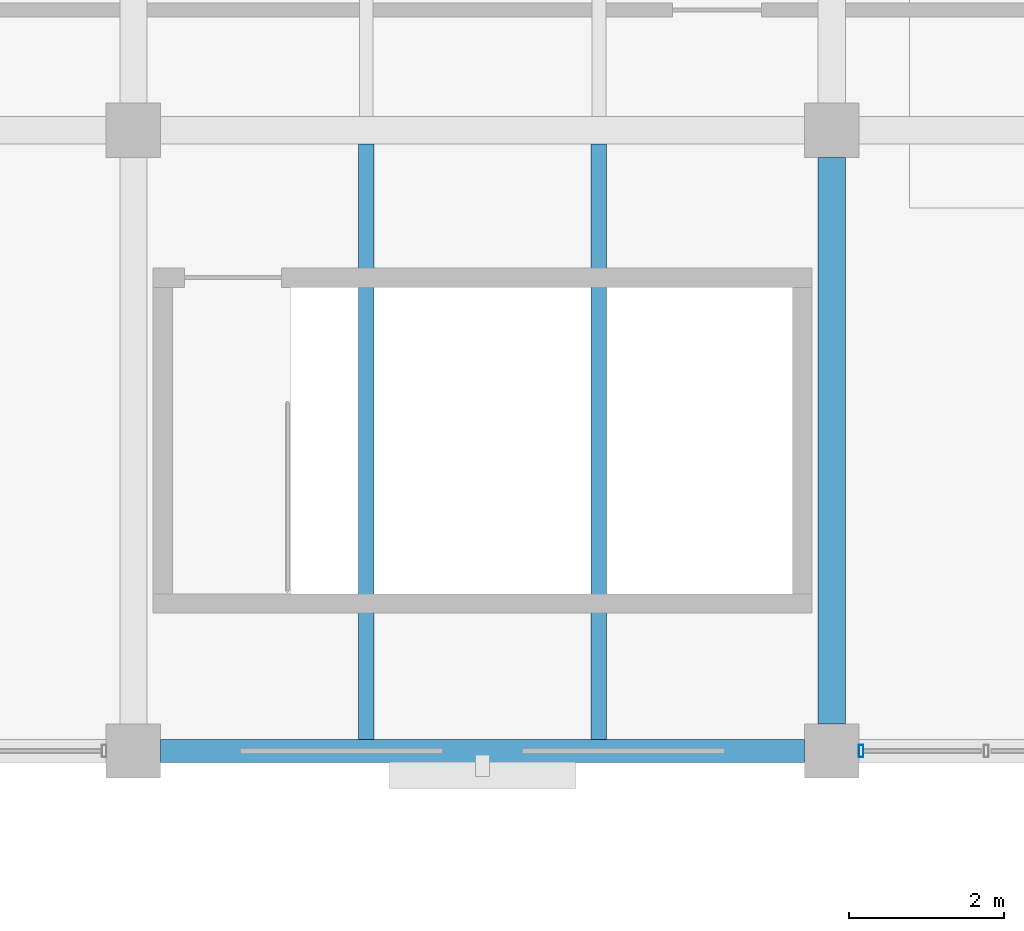
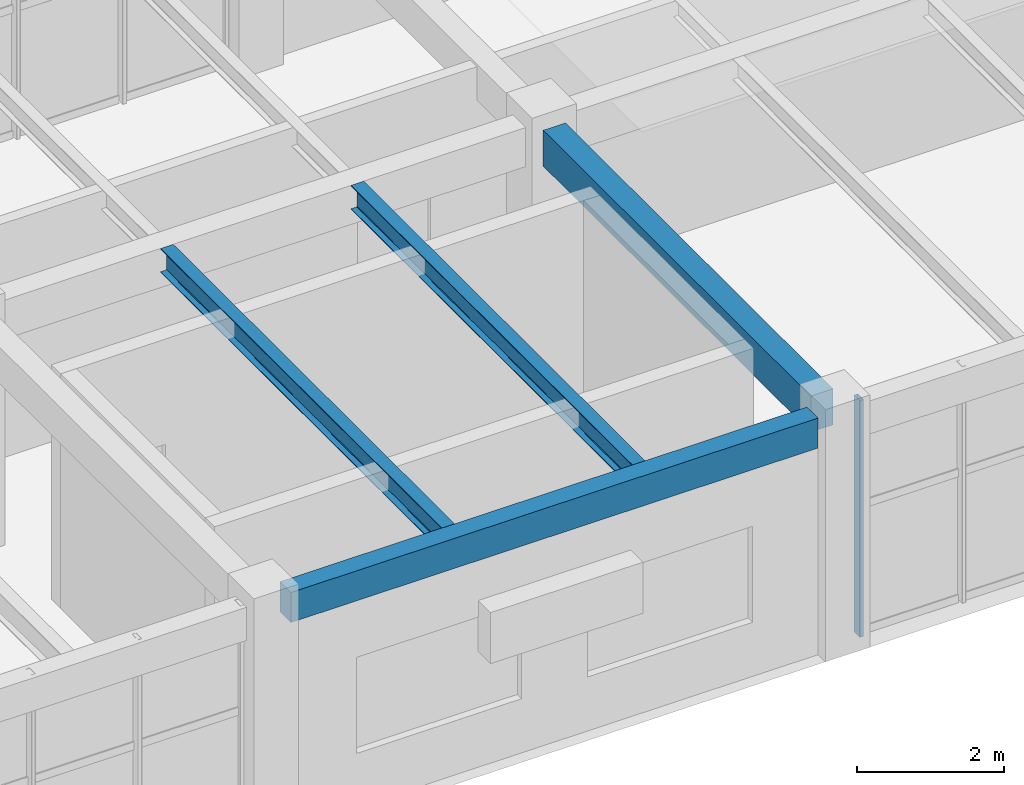
# One storey, part 32 of 128: 4 beams, 1 member, 1 element without a shape of its own.
"""IFC4 building model written with IfcOpenShell, lengths in metres."""

from ifc_helpers import new_model, si_unit, derived_unit, direction, frame, origin, origin_2d, place, context, subcontext, project, spatial, rectangle, hollow_rectangle, i_section, extrude, material, material_profile, profile_set, type_object, element, aggregate, save


model = new_model("IFC4")

# Units and contexts
model_context = context("Model", 3, precision=1e-05, world=origin(), true_north=direction((0.0, 1.0)))
body_context = subcontext(model_context, "Body", "Model", "MODEL_VIEW")
ifc_project = project(units=[si_unit("LENGTHUNIT", "METRE"), si_unit("AREAUNIT", "SQUARE_METRE"), si_unit("VOLUMEUNIT", "CUBIC_METRE"), si_unit("PLANEANGLEUNIT", "RADIAN"), si_unit("MASSUNIT", "GRAM", prefix="KILO"), derived_unit("THERMALTRANSMITTANCEUNIT", [(si_unit("MASSUNIT", "GRAM", prefix="KILO"), 1), (si_unit("TIMEUNIT", "SECOND"), -3), (si_unit("THERMODYNAMICTEMPERATUREUNIT", "KELVIN"), -1)])], contexts=[model_context])

# Site, building, storey
site_placement = place(None, origin())
site = spatial("IfcSite", under=ifc_project, at=site_placement, CompositionType="ELEMENT")
building_placement = place(site_placement, origin())
building = spatial("IfcBuilding", under=site, at=building_placement, Name="Zhenchuan Archway Interchange", CompositionType="ELEMENT")
storey_placement = place(building_placement, frame((0.0, 0.0, 14.39990234375)))
storey = spatial("IfcBuildingStorey", under=building, at=storey_placement, Name="L03", CompositionType="ELEMENT", Elevation=14.39990234375)

# Beam
ifc_material_1 = material(Name="Concrete C40", Category="concrete")
ifc_material_profile_1 = material_profile(ifc_material_1, rectangle(XDim=0.35009765625, YDim=0.60009765625, at=origin_2d()), Name="RC 350x600")
ifc_profile_set_1 = profile_set([ifc_material_profile_1], Name="Concrete C40")
beam_type_1 = type_object("IfcBeamType", Name="BM_RC_350x600", PredefinedType="BEAM", material=ifc_profile_set_1)
beam_1_placement = place(storey_placement, frame((126.0, 8.35009765625, 3.64013671875), z_axis=(0.0, 1.0, 0.0), x_axis=(-1.0, 0.0, 0.0)))
element("IfcBeam", 1, at=beam_1_placement, inside=storey, type_object=beam_type_1, Name="Beam 15:B-C (L03)", PredefinedType="BEAM", context=body_context, shape_type="SweptSolid", body=[
    extrude(rectangle(XDim=0.35009765625, YDim=0.60009765625, at=origin_2d()), origin(), (0.0, 0.0, 1.0), 7.2998046875),
])

# Curtain wall, member
ifc_material_2 = material(Name="Anodised Aluminium", Category="aluminium")
curtain_wall_type = type_object("IfcCurtainWallType", Name="CW_UNIT_2", PredefinedType="NOTDEFINED", material=ifc_material_2)
curtain_wall_placement = place(storey_placement, origin())
curtain_wall = element("IfcCurtainWall", 2, at=curtain_wall_placement, inside=storey, type_object=curtain_wall_type, Name="Unitised curtain wall CW:L03:185", PredefinedType="NOTDEFINED")
ifc_material_profile_2 = material_profile(ifc_material_2, hollow_rectangle(XDim=0.06005859375, YDim=0.159912109375, WallThickness=0.00390625, InnerFilletRadius=0.00390625, OuterFilletRadius=0.008056640625, at=origin_2d()), Name="ALU 160x60x4")
ifc_profile_set_2 = profile_set([ifc_material_profile_2], Name="Anodised Aluminium")
member_type = type_object("IfcMemberType", Name="CW_MUL_150", PredefinedType="MULLION", material=ifc_profile_set_2)
member_placement = place(storey_placement, frame((126.3779296875, 8.0, 0.0), z_axis=(0.0, 0.0, 1.0), x_axis=(1.0, 0.0, 0.0)))
member = element("IfcMember", 3, at=member_placement, type_object=member_type, Name="CW:L03:185 mullion 5", PredefinedType="MULLION", context=body_context, shape_type="SweptSolid", body=[
    extrude(hollow_rectangle(XDim=0.06005859375, YDim=0.159912109375, WallThickness=0.00390625, InnerFilletRadius=0.00390625, OuterFilletRadius=0.008056640625, at=origin_2d()), origin(), (0.0, 0.0, 1.0), 3.940185546875),
])
aggregate(curtain_wall, [member])

# Beams
ifc_material_3 = material(Name="Steel Q355", Category="steel")
ifc_material_profile_3 = material_profile(ifc_material_3, i_section(OverallWidth=0.199951171875, OverallDepth=0.39990234375, WebThickness=0.008056640625, FlangeThickness=0.012939453125, FilletRadius=0.01611328125, at=origin_2d()), Name="HN 400x200")
ifc_profile_set_3 = profile_set([ifc_material_profile_3], Name="Steel Q355")
beam_type_2 = type_object("IfcBeamType", Name="JST_STL_HN400", PredefinedType="JOIST", material=ifc_profile_set_3)
for number, where, z_axis, x_axis, name in (
    (4, (120.0, 8.14990234375, 3.739990234375), (0.0, 1.0, 0.0), (-1.0, 0.0, 0.0), "Secondary joist 14-15/B-C #1 (L03)"),
    (5, (123.0, 8.14990234375, 3.739990234375), (0.0, 1.0, 0.0), (-1.0, 0.0, 0.0), "Secondary joist 14-15/B-C #2 (L03)"),
):
    element("IfcBeam", number, at=place(storey_placement, frame(where, z_axis=z_axis, x_axis=x_axis)), inside=storey, type_object=beam_type_2, Name=name, PredefinedType="JOIST", context=body_context, shape_type="SweptSolid", body=[
        extrude(i_section(OverallWidth=0.199951171875, OverallDepth=0.39990234375, WebThickness=0.008056640625, FlangeThickness=0.012939453125, FilletRadius=0.01611328125, at=origin_2d()), origin(), (0.0, 0.0, 1.0), 7.675048828125),
    ])
ifc_material_profile_4 = material_profile(ifc_material_1, rectangle(XDim=0.300048828125, YDim=0.5, at=origin_2d()), Name="RC 300x500")
ifc_profile_set_4 = profile_set([ifc_material_profile_4], Name="Concrete C40")
beam_type_3 = type_object("IfcBeamType", Name="SP_RC_300x500", PredefinedType="SPANDREL", material=ifc_profile_set_4)
beam_2_placement = place(storey_placement, frame((117.35009765625, 8.0, 3.690185546875), z_axis=(1.0, 0.0, 0.0), x_axis=(0.0, 1.0, 0.0)))
element("IfcBeam", 6, at=beam_2_placement, inside=storey, type_object=beam_type_3, Name="Beam B:14-15 (L03)", PredefinedType="SPANDREL", context=body_context, shape_type="SweptSolid", body=[
    extrude(rectangle(XDim=0.300048828125, YDim=0.5, at=origin_2d()), origin(), (0.0, 0.0, 1.0), 8.2998046875),
])

save(model, "model.ifc")
